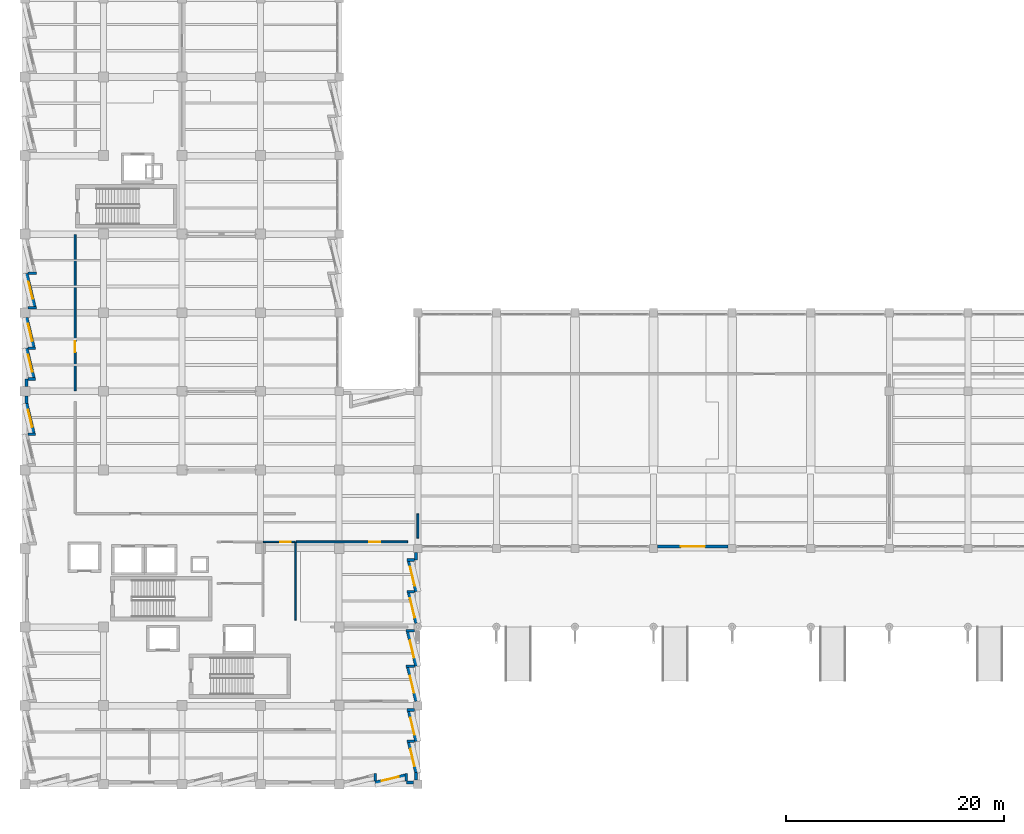
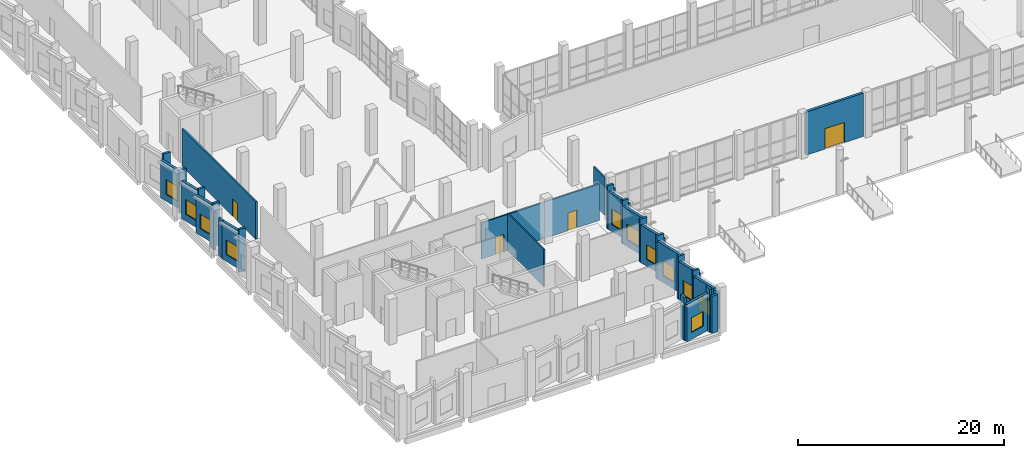
# One storey, part 104 of 137: 35 walls, 11 windows, 4 doors, 15 openings.
"""IFC4 building model written with IfcOpenShell, lengths in metres."""

from ifc_helpers import new_model, si_unit, direction, frame, frame_2d, origin, place, context, subcontext, project, spatial, rectangle, extrude, material, layer, layer_set, type_object, element, fill, save


model = new_model("IFC4")

# Units and contexts
model_context = context("Model", 3, precision=1e-05, world=origin(), true_north=direction((0.0, 1.0)))
body_context = subcontext(model_context, "Body", "Model", "MODEL_VIEW")
ifc_project = project(units=[si_unit("LENGTHUNIT", "METRE"), si_unit("AREAUNIT", "SQUARE_METRE"), si_unit("VOLUMEUNIT", "CUBIC_METRE"), si_unit("PLANEANGLEUNIT", "RADIAN"), si_unit("MASSUNIT", "GRAM", prefix="KILO")], contexts=[model_context])

# Site, building, storey
site_placement = place(None, origin())
site = spatial("IfcSite", under=ifc_project, at=site_placement, CompositionType="ELEMENT")
building_placement = place(site_placement, origin())
building = spatial("IfcBuilding", under=site, at=building_placement, Name="Kalmorath City Hall", CompositionType="ELEMENT")
storey_placement = place(building_placement, origin())
storey = spatial("IfcBuildingStorey", under=building, at=storey_placement, Name="L00", CompositionType="ELEMENT", Elevation=0.0)

# Wall, opening, door
ifc_material_1 = material(Name="Fire-rated acoustic gypsum partition")
ifc_layer_1 = layer(ifc_material_1, 0.179931640625)
ifc_layer_set_1 = layer_set([ifc_layer_1], Name="Fire-rated acoustic gypsum partition")
wall_type_1 = type_object("IfcWallType", Name="One-hour corridor fire partition 180", PredefinedType="PARTITIONING", material=ifc_layer_set_1)
wall_1_placement = place(storey_placement, frame((4.60009765625, 36.0400390625, 0.0), z_axis=(0.0, 0.0, 1.0), x_axis=(0.0, 1.0, 0.0)))
wall_1 = element("IfcWall", 1, at=wall_1_placement, inside=storey, type_object=wall_type_1, Name="L00 interior partition PW2 #20", PredefinedType="PARTITIONING", context=body_context, shape_type="SweptSolid", body=[
    extrude(rectangle(XDim=14.320068359375, YDim=0.179931640625, at=frame_2d((7.16015625, 0.0))), origin(), (0.0, 0.0, 1.0), 4.449951171875),
])
opening_1_placement = place(wall_1_placement, frame((3.5400390625, 0.0, 0.0)))
opening_1 = element("IfcOpeningElement", 2, at=opening_1_placement, cuts=wall_1, Name="Opening D-L00-138", PredefinedType="OPENING", context=body_context, shape_type="SweptSolid", body=[
    extrude(rectangle(XDim=1.0, YDim=2.10009765625, at=frame_2d((0.5, 1.050048828125))), frame((0.0, 0.099853515625, 0.0), z_axis=(0.0, -1.0, 0.0), x_axis=(1.0, 0.0, 0.0)), (0.0, 0.0, 1.0), 0.199951171875),
])
ifc_material_2 = material(Name="Hardwood fire door", Category="wood")
door_type_1 = type_object("IfcDoorType", Name="Corridor 60-min fire door 1000x2100", OperationType="NOTDEFINED", PredefinedType="DOOR", material=ifc_material_2)
door_1_placement = place(opening_1_placement, origin())
door_1 = element("IfcDoor", 3, at=door_1_placement, inside=storey, type_object=door_type_1, Name="L00 door D-L00-138", OperationType="SINGLE_SWING_RIGHT", OverallHeight=2.10009765625, OverallWidth=1.0, PredefinedType="DOOR", context=body_context, shape_type="SweptSolid", body=[
    extrude(rectangle(XDim=1.0, YDim=2.10009765625, at=frame_2d((0.5, 1.050048828125))), frame((0.0, 0.02490234375, 0.0), z_axis=(0.0, -1.0, 0.0), x_axis=(1.0, 0.0, 0.0)), (0.0, 0.0, 1.0), 0.050048828125),
])
fill(opening_1, door_1)

wall_2_placement = place(storey_placement, frame((24.840087890625, 22.199951171875, 0.0), z_axis=(0.0, 0.0, 1.0), x_axis=(1.0, 0.0, 0.0)))
wall_2 = element("IfcWall", 4, at=wall_2_placement, inside=storey, type_object=wall_type_1, Name="L00 interior partition PW2 #23", PredefinedType="PARTITIONING", context=body_context, shape_type="SweptSolid", body=[
    extrude(rectangle(XDim=10.219970703125, YDim=0.179931640625, at=frame_2d((5.10986328125, 0.0))), origin(), (0.0, 0.0, 1.0), 4.31103515625),
])
opening_2_placement = place(wall_2_placement, frame((6.705078125, 0.0, 0.0)))
opening_2 = element("IfcOpeningElement", 5, at=opening_2_placement, cuts=wall_2, Name="Opening D-L00-125", PredefinedType="OPENING", context=body_context, shape_type="SweptSolid", body=[
    extrude(rectangle(XDim=1.0, YDim=2.10009765625, at=frame_2d((0.5, 1.050048828125))), frame((0.0, 0.099853515625, 0.0), z_axis=(0.0, -1.0, 0.0), x_axis=(1.0, 0.0, 0.0)), (0.0, 0.0, 1.0), 0.199951171875),
])
door_2_placement = place(opening_2_placement, origin())
door_2 = element("IfcDoor", 6, at=door_2_placement, inside=storey, type_object=door_type_1, Name="L00 door D-L00-125", OperationType="SINGLE_SWING_LEFT", OverallHeight=2.10009765625, OverallWidth=1.0, PredefinedType="DOOR", context=body_context, shape_type="SweptSolid", body=[
    extrude(rectangle(XDim=1.0, YDim=2.10009765625, at=frame_2d((0.5, 1.050048828125))), frame((0.0, 0.02490234375, 0.0), z_axis=(0.0, -1.0, 0.0), x_axis=(1.0, 0.0, 0.0)), (0.0, 0.0, 1.0), 0.050048828125),
])
fill(opening_2, door_2)

# Walls
wall_3_placement = place(storey_placement, frame((36.0, 22.5400390625, 0.0), z_axis=(0.0, 0.0, 1.0), x_axis=(0.0, 1.0, 0.0)))
element("IfcWall", 7, at=wall_3_placement, inside=storey, type_object=wall_type_1, Name="L00 interior partition PW2 #25", PredefinedType="PARTITIONING", context=body_context, shape_type="SweptSolid", body=[
    extrude(rectangle(XDim=2.219970703125, YDim=0.179931640625, at=frame_2d((1.10986328125, 0.0))), origin(), (0.0, 0.0, 1.0), 4.4609375),
])
ifc_material_3 = material(Name="Precast concrete C40/50", Category="concrete")
ifc_layer_2 = layer(ifc_material_3, 0.239990234375)
ifc_layer_set_2 = layer_set([ifc_layer_2], Name="Precast concrete C40/50")
wall_type_2 = type_object("IfcWallType", Name="Precast sawtooth cheek wall 240", PredefinedType="SOLIDWALL", material=ifc_layer_set_2)
wall_4_placement = place(storey_placement, frame((0.9794921875, 32.06005859375, 0.0), z_axis=(0.0, 0.0, 1.0), x_axis=(-1.0, 0.0, 0.0)))
element("IfcWall", 8, at=wall_4_placement, inside=storey, type_object=wall_type_2, Name="L00 sawtooth return cheek #19", PredefinedType="SOLIDWALL", context=body_context, shape_type="SweptSolid", body=[
    extrude(rectangle(XDim=0.6875, YDim=0.239990234375, at=frame_2d((0.34375, 0.0))), origin(), (0.0, 0.0, 1.0), 5.1201171875),
])
wall_5_placement = place(storey_placement, frame((0.9794921875, 37.131103515625, 0.0), z_axis=(0.0, 0.0, 1.0), x_axis=(-1.0, 0.0, 0.0)))
element("IfcWall", 9, at=wall_5_placement, inside=storey, type_object=wall_type_2, Name="L00 sawtooth return cheek #22", PredefinedType="SOLIDWALL", context=body_context, shape_type="SweptSolid", body=[
    extrude(rectangle(XDim=0.697509765625, YDim=0.239990234375, at=frame_2d((0.3486328125, 0.0))), origin(), (0.0, 0.0, 1.0), 5.1201171875),
])
wall_6_placement = place(storey_placement, frame((0.9794921875, 39.93994140625, 0.0), z_axis=(0.0, 0.0, 1.0), x_axis=(-1.0, 0.0, 0.0)))
element("IfcWall", 10, at=wall_6_placement, inside=storey, type_object=wall_type_2, Name="L00 sawtooth return cheek #24", PredefinedType="SOLIDWALL", context=body_context, shape_type="SweptSolid", body=[
    extrude(rectangle(XDim=0.6875, YDim=0.239990234375, at=frame_2d((0.34375, 0.0))), origin(), (0.0, 0.0, 1.0), 5.1201171875),
])
for number, where, z_axis, x_axis, name in (
    (11, (1.06103515625, 43.65087890625, 0.0), (0.0, 0.0, 1.0), (-1.0, 0.0, 0.0), "L00 sawtooth return cheek #26"),
    (12, (1.06103515625, 46.800048828125, 0.0), (0.0, 0.0, 1.0), (-1.0, 0.0, 0.0), "L00 sawtooth return cheek #28"),
):
    element("IfcWall", number, at=place(storey_placement, frame(where, z_axis=z_axis, x_axis=x_axis)), inside=storey, type_object=wall_type_2, Name=name, PredefinedType="SOLIDWALL", context=body_context, shape_type="SweptSolid", body=[
        extrude(rectangle(XDim=0.76904296875, YDim=0.239990234375, at=frame_2d((0.384521484375, 0.0))), origin(), (0.0, 0.0, 1.0), 5.1201171875),
    ])
wall_7_placement = place(storey_placement, frame((34.99951171875, 20.5439453125, 0.0), z_axis=(0.0, 0.0, 1.0), x_axis=(1.0, 0.0, 0.0)))
element("IfcWall", 13, at=wall_7_placement, inside=storey, type_object=wall_type_2, Name="L00 sawtooth return cheek #107", PredefinedType="SOLIDWALL", context=body_context, shape_type="SweptSolid", body=[
    extrude(rectangle(XDim=0.718505859375, YDim=0.239990234375, at=frame_2d((0.359375, 0.0))), origin(), (0.0, 0.0, 1.0), 5.1201171875),
])
wall_8_placement = place(storey_placement, frame((34.99951171875, 17.6474609375, 0.0), z_axis=(0.0, 0.0, 1.0), x_axis=(1.0, 0.0, 0.0)))
element("IfcWall", 14, at=wall_8_placement, inside=storey, type_object=wall_type_2, Name="L00 sawtooth return cheek #109", PredefinedType="SOLIDWALL", context=body_context, shape_type="SweptSolid", body=[
    extrude(rectangle(XDim=0.70849609375, YDim=0.239990234375, at=frame_2d((0.354248046875, 0.0))), origin(), (0.0, 0.0, 1.0), 5.1201171875),
])
for number, where, z_axis, x_axis, name in (
    (15, (34.9208984375, 14.049072265625, 0.0), (0.0, 0.0, 1.0), (1.0, 0.0, 0.0), "L00 sawtooth return cheek #111"),
    (16, (34.9208984375, 10.824951171875, 0.0), (0.0, 0.0, 1.0), (1.0, 0.0, 0.0), "L00 sawtooth return cheek #113"),
):
    element("IfcWall", number, at=place(storey_placement, frame(where, z_axis=z_axis, x_axis=x_axis)), inside=storey, type_object=wall_type_2, Name=name, PredefinedType="SOLIDWALL", context=body_context, shape_type="SweptSolid", body=[
        extrude(rectangle(XDim=0.787109375, YDim=0.239990234375, at=frame_2d((0.3935546875, 0.0))), origin(), (0.0, 0.0, 1.0), 5.1201171875),
    ])
for number, where, z_axis, x_axis, name in (
    (17, (35.005615234375, 6.799072265625, 0.0), (0.0, 0.0, 1.0), (1.0, 0.0, 0.0), "L00 sawtooth return cheek #116"),
    (18, (35.005615234375, 3.927490234375, 0.0), (0.0, 0.0, 1.0), (1.0, 0.0, 0.0), "L00 sawtooth return cheek #118"),
):
    element("IfcWall", number, at=place(storey_placement, frame(where, z_axis=z_axis, x_axis=x_axis)), inside=storey, type_object=wall_type_2, Name=name, PredefinedType="SOLIDWALL", context=body_context, shape_type="SweptSolid", body=[
        extrude(rectangle(XDim=0.702392578125, YDim=0.239990234375, at=frame_2d((0.35107421875, 0.0))), origin(), (0.0, 0.0, 1.0), 5.1201171875),
    ])
wall_9_placement = place(storey_placement, frame((34.944091796875, 0.98828125, 0.0), z_axis=(0.0, 0.0, 1.0), x_axis=(0.0, -1.0, 0.0)))
element("IfcWall", 19, at=wall_9_placement, inside=storey, type_object=wall_type_2, Name="L00 sawtooth return cheek #121", PredefinedType="SOLIDWALL", context=body_context, shape_type="SweptSolid", body=[
    extrude(rectangle(XDim=0.706298828125, YDim=0.239990234375, at=frame_2d((0.35302734375, 0.0))), origin(), (0.0, 0.0, 1.0), 5.1201171875),
])
wall_10_placement = place(storey_placement, frame((32.097412109375, 0.98828125, 0.0), z_axis=(0.0, 0.0, 1.0), x_axis=(0.0, -1.0, 0.0)))
element("IfcWall", 20, at=wall_10_placement, inside=storey, type_object=wall_type_2, Name="L00 sawtooth return cheek #123", PredefinedType="SOLIDWALL", context=body_context, shape_type="SweptSolid", body=[
    extrude(rectangle(XDim=0.6962890625, YDim=0.239990234375, at=frame_2d((0.34814453125, 0.0))), origin(), (0.0, 0.0, 1.0), 5.1201171875),
])

# Wall, opening, window
ifc_material_4 = material(Name="Precast concrete C40/50", Category="concrete")
ifc_layer_3 = layer(ifc_material_4, 0.280029296875)
ifc_layer_set_3 = layer_set([ifc_layer_3], Name="Precast concrete C40/50")
wall_type_3 = type_object("IfcWallType", Name="Precast sawtooth facade wall 280", PredefinedType="SOLIDWALL", material=ifc_layer_set_3)
wall_11_placement = place(storey_placement, frame((0.812255859375, 32.15234375, 0.0), z_axis=(0.0, 0.0, 1.0), x_axis=(-0.233498544812, 0.972357151242, 0.0)))
wall_11 = element("IfcWall", 21, at=wall_11_placement, inside=storey, type_object=wall_type_3, Name="L00 sawtooth precast frame #18", PredefinedType="SOLIDWALL", context=body_context, shape_type="SweptSolid", body=[
    extrude(rectangle(XDim=2.793701171875, YDim=0.280029296875, at=frame_2d((1.39697265625, 0.0))), origin(), (0.0, 0.0, 1.0), 4.4609375),
])
opening_3_placement = place(wall_11_placement, frame((0.596923828125, 0.0, 0.800048828125)))
opening_3 = element("IfcOpeningElement", 22, at=opening_3_placement, cuts=wall_11, Name="Opening WN3", PredefinedType="OPENING", context=body_context, shape_type="SweptSolid", body=[
    extrude(rectangle(XDim=1.60009765625, YDim=1.75, at=frame_2d((0.800048828125, 0.875))), frame((0.0, 0.14990234375, 0.0), z_axis=(0.0, -1.0, 0.0), x_axis=(1.0, 0.0, 0.0)), (0.0, 0.0, 1.0), 0.300048828125),
])
ifc_material_5 = material(Name="Aluminium and laminated glass", Category="aluminium")
window_type_1 = type_object("IfcWindowType", Name="Sawtooth upper window 1600x1750", PartitioningType="SINGLE_PANEL", PredefinedType="WINDOW", material=ifc_material_5)
window_1_placement = place(opening_3_placement, origin())
window_1 = element("IfcWindow", 23, at=window_1_placement, inside=storey, type_object=window_type_1, Name="L00 window WN3-8", OverallHeight=1.75, OverallWidth=1.60009765625, PartitioningType="SINGLE_PANEL", PredefinedType="WINDOW", context=body_context, shape_type="SweptSolid", body=[
    extrude(rectangle(XDim=1.60009765625, YDim=1.75, at=frame_2d((0.800048828125, 0.875))), frame((0.0, 0.030029296875, 0.0), z_axis=(0.0, -1.0, 0.0), x_axis=(1.0, 0.0, 0.0)), (0.0, 0.0, 1.0), 0.06005859375),
])
fill(opening_3, window_1)

wall_12_placement = place(storey_placement, frame((0.812255859375, 37.223388671875, 0.0), z_axis=(0.0, 0.0, 1.0), x_axis=(-0.233498544812, 0.972357151242, 0.0)))
wall_12 = element("IfcWall", 24, at=wall_12_placement, inside=storey, type_object=wall_type_3, Name="L00 sawtooth precast frame #21", PredefinedType="SOLIDWALL", context=body_context, shape_type="SweptSolid", body=[
    extrude(rectangle(XDim=2.793701171875, YDim=0.280029296875, at=frame_2d((1.39697265625, 0.0))), origin(), (0.0, 0.0, 1.0), 4.4609375),
])
opening_4_placement = place(wall_12_placement, frame((0.596923828125, 0.0, 0.800048828125)))
opening_4 = element("IfcOpeningElement", 25, at=opening_4_placement, cuts=wall_12, Name="Opening WN3", PredefinedType="OPENING", context=body_context, shape_type="SweptSolid", body=[
    extrude(rectangle(XDim=1.60009765625, YDim=1.75, at=frame_2d((0.800048828125, 0.875))), frame((0.0, 0.14990234375, 0.0), z_axis=(0.0, -1.0, 0.0), x_axis=(1.0, 0.0, 0.0)), (0.0, 0.0, 1.0), 0.300048828125),
])
window_2_placement = place(opening_4_placement, origin())
window_2 = element("IfcWindow", 26, at=window_2_placement, inside=storey, type_object=window_type_1, Name="L00 window WN3-9", OverallHeight=1.75, OverallWidth=1.60009765625, PartitioningType="SINGLE_PANEL", PredefinedType="WINDOW", context=body_context, shape_type="SweptSolid", body=[
    extrude(rectangle(XDim=1.60009765625, YDim=1.75, at=frame_2d((0.800048828125, 0.875))), frame((0.0, 0.030029296875, 0.0), z_axis=(0.0, -1.0, 0.0), x_axis=(1.0, 0.0, 0.0)), (0.0, 0.0, 1.0), 0.06005859375),
])
fill(opening_4, window_2)

wall_13_placement = place(storey_placement, frame((0.812255859375, 40.032470703125, 0.0), z_axis=(0.0, 0.0, 1.0), x_axis=(-0.233498544812, 0.972357151242, 0.0)))
wall_13 = element("IfcWall", 27, at=wall_13_placement, inside=storey, type_object=wall_type_3, Name="L00 sawtooth precast frame #23", PredefinedType="SOLIDWALL", context=body_context, shape_type="SweptSolid", body=[
    extrude(rectangle(XDim=2.793701171875, YDim=0.280029296875, at=frame_2d((1.39697265625, 0.0))), origin(), (0.0, 0.0, 1.0), 4.4609375),
])
opening_5_placement = place(wall_13_placement, frame((0.596923828125, 0.0, 0.800048828125)))
opening_5 = element("IfcOpeningElement", 28, at=opening_5_placement, cuts=wall_13, Name="Opening WN3", PredefinedType="OPENING", context=body_context, shape_type="SweptSolid", body=[
    extrude(rectangle(XDim=1.60009765625, YDim=1.75, at=frame_2d((0.800048828125, 0.875))), frame((0.0, 0.14990234375, 0.0), z_axis=(0.0, -1.0, 0.0), x_axis=(1.0, 0.0, 0.0)), (0.0, 0.0, 1.0), 0.300048828125),
])
window_3_placement = place(opening_5_placement, origin())
window_3 = element("IfcWindow", 29, at=window_3_placement, inside=storey, type_object=window_type_1, Name="L00 window WN3-10", OverallHeight=1.75, OverallWidth=1.60009765625, PartitioningType="SINGLE_PANEL", PredefinedType="WINDOW", context=body_context, shape_type="SweptSolid", body=[
    extrude(rectangle(XDim=1.60009765625, YDim=1.75, at=frame_2d((0.800048828125, 0.875))), frame((0.0, 0.030029296875, 0.0), z_axis=(0.0, -1.0, 0.0), x_axis=(1.0, 0.0, 0.0)), (0.0, 0.0, 1.0), 0.06005859375),
])
fill(opening_5, window_3)

wall_14_placement = place(storey_placement, frame((0.893798828125, 43.743408203125, 0.0), z_axis=(0.0, 0.0, 1.0), x_axis=(-0.233461073712, 0.972366148661, 0.0)))
wall_14 = element("IfcWall", 30, at=wall_14_placement, inside=storey, type_object=wall_type_3, Name="L00 sawtooth precast frame #25", PredefinedType="SOLIDWALL", context=body_context, shape_type="SweptSolid", body=[
    extrude(rectangle(XDim=3.1435546875, YDim=0.280029296875, at=frame_2d((1.57177734375, 0.0))), origin(), (0.0, 0.0, 1.0), 4.4609375),
])
opening_6_placement = place(wall_14_placement, frame((0.771728515625, 0.0, 0.800048828125)))
opening_6 = element("IfcOpeningElement", 31, at=opening_6_placement, cuts=wall_14, Name="Opening WN3", PredefinedType="OPENING", context=body_context, shape_type="SweptSolid", body=[
    extrude(rectangle(XDim=1.60009765625, YDim=1.75, at=frame_2d((0.800048828125, 0.875))), frame((0.0, 0.14990234375, 0.0), z_axis=(0.0, -1.0, 0.0), x_axis=(1.0, 0.0, 0.0)), (0.0, 0.0, 1.0), 0.300048828125),
])
window_4_placement = place(opening_6_placement, origin())
window_4 = element("IfcWindow", 32, at=window_4_placement, inside=storey, type_object=window_type_1, Name="L00 window WN3-11", OverallHeight=1.75, OverallWidth=1.60009765625, PartitioningType="SINGLE_PANEL", PredefinedType="WINDOW", context=body_context, shape_type="SweptSolid", body=[
    extrude(rectangle(XDim=1.60009765625, YDim=1.75, at=frame_2d((0.800048828125, 0.875))), frame((0.0, 0.030029296875, 0.0), z_axis=(0.0, -1.0, 0.0), x_axis=(1.0, 0.0, 0.0)), (0.0, 0.0, 1.0), 0.06005859375),
])
fill(opening_6, window_4)

# Wall, opening, door
wall_15_placement = place(storey_placement, frame((64.424072265625, 21.760009765625, 0.0), z_axis=(0.0, 0.0, 1.0), x_axis=(-1.0, 0.0, 0.0)))
wall_15 = element("IfcWall", 33, at=wall_15_placement, inside=storey, type_object=wall_type_3, Name="L00 hall entrance portal #104", PredefinedType="SOLIDWALL", context=body_context, shape_type="SweptSolid", body=[
    extrude(rectangle(XDim=6.447998046875, YDim=0.280029296875, at=frame_2d((3.22412109375, 0.0))), origin(), (0.0, 0.0, 1.0), 5.1201171875),
])
opening_7_placement = place(wall_15_placement, frame((2.1240234375, 0.0, 0.0)))
opening_7 = element("IfcOpeningElement", 34, at=opening_7_placement, cuts=wall_15, Name="Opening D-E018", PredefinedType="OPENING", context=body_context, shape_type="SweptSolid", body=[
    extrude(rectangle(XDim=2.199951171875, YDim=2.39990234375, at=frame_2d((1.10009765625, 1.199951171875))), frame((0.0, 0.14990234375, 0.0), z_axis=(0.0, -1.0, 0.0), x_axis=(1.0, 0.0, 0.0)), (0.0, 0.0, 1.0), 0.300048828125),
])
ifc_material_6 = material(Name="Bronze-anodised aluminium and glass", Category="aluminium")
door_type_2 = type_object("IfcDoorType", Name="Glazed ceremonial double entrance door 2200x2400", OperationType="DOUBLE_DOOR_SINGLE_SWING", PredefinedType="DOOR", material=ifc_material_6)
door_3_placement = place(opening_7_placement, origin())
door_3 = element("IfcDoor", 35, at=door_3_placement, inside=storey, type_object=door_type_2, Name="L00 exterior door D-E018", OperationType="DOUBLE_DOOR_SINGLE_SWING", OverallHeight=2.39990234375, OverallWidth=2.199951171875, PredefinedType="DOOR", context=body_context, shape_type="SweptSolid", body=[
    extrude(rectangle(XDim=2.199951171875, YDim=2.39990234375, at=frame_2d((1.10009765625, 1.199951171875))), frame((0.0, 0.02490234375, 0.0), z_axis=(0.0, -1.0, 0.0), x_axis=(1.0, 0.0, 0.0)), (0.0, 0.0, 1.0), 0.050048828125),
])
fill(opening_7, door_3)

# Wall, opening, window
wall_16_placement = place(storey_placement, frame((35.166748046875, 20.45166015625, 0.0), z_axis=(0.0, 0.0, 1.0), x_axis=(0.233481813001, -0.97236116901, 0.0)))
wall_16 = element("IfcWall", 36, at=wall_16_placement, inside=storey, type_object=wall_type_3, Name="L00 sawtooth precast frame #106", PredefinedType="SOLIDWALL", context=body_context, shape_type="SweptSolid", body=[
    extrude(rectangle(XDim=2.8837890625, YDim=0.280029296875, at=frame_2d((1.44189453125, 0.0))), origin(), (0.0, 0.0, 1.0), 4.4609375),
])
opening_8_placement = place(wall_16_placement, frame((0.5419921875, 0.0, 0.800048828125)))
opening_8 = element("IfcOpeningElement", 37, at=opening_8_placement, cuts=wall_16, Name="Opening WN4", PredefinedType="OPENING", context=body_context, shape_type="SweptSolid", body=[
    extrude(rectangle(XDim=1.800048828125, YDim=1.85009765625, at=frame_2d((0.89990234375, 0.925048828125))), frame((0.0, 0.14990234375, 0.0), z_axis=(0.0, -1.0, 0.0), x_axis=(1.0, 0.0, 0.0)), (0.0, 0.0, 1.0), 0.300048828125),
])
ifc_material_7 = material(Name="Aluminium and laminated glass", Category="aluminium")
window_type_2 = type_object("IfcWindowType", Name="Sawtooth executive window 1800x1850", PartitioningType="SINGLE_PANEL", PredefinedType="WINDOW", material=ifc_material_7)
window_5_placement = place(opening_8_placement, origin())
window_5 = element("IfcWindow", 38, at=window_5_placement, inside=storey, type_object=window_type_2, Name="L00 window WN4-49", OverallHeight=1.85009765625, OverallWidth=1.800048828125, PartitioningType="SINGLE_PANEL", PredefinedType="WINDOW", context=body_context, shape_type="SweptSolid", body=[
    extrude(rectangle(XDim=1.800048828125, YDim=1.85009765625, at=frame_2d((0.89990234375, 0.925048828125))), frame((0.0, 0.030029296875, 0.0), z_axis=(0.0, -1.0, 0.0), x_axis=(1.0, 0.0, 0.0)), (0.0, 0.0, 1.0), 0.06005859375),
])
fill(opening_8, window_5)

wall_17_placement = place(storey_placement, frame((35.166748046875, 17.55517578125, 0.0), z_axis=(0.0, 0.0, 1.0), x_axis=(0.233481813001, -0.97236116901, 0.0)))
wall_17 = element("IfcWall", 39, at=wall_17_placement, inside=storey, type_object=wall_type_3, Name="L00 sawtooth precast frame #108", PredefinedType="SOLIDWALL", context=body_context, shape_type="SweptSolid", body=[
    extrude(rectangle(XDim=2.8837890625, YDim=0.280029296875, at=frame_2d((1.44189453125, 0.0))), origin(), (0.0, 0.0, 1.0), 4.4609375),
])
opening_9_placement = place(wall_17_placement, frame((0.5419921875, 0.0, 0.800048828125)))
opening_9 = element("IfcOpeningElement", 40, at=opening_9_placement, cuts=wall_17, Name="Opening WN4", PredefinedType="OPENING", context=body_context, shape_type="SweptSolid", body=[
    extrude(rectangle(XDim=1.800048828125, YDim=1.85009765625, at=frame_2d((0.89990234375, 0.925048828125))), frame((0.0, 0.14990234375, 0.0), z_axis=(0.0, -1.0, 0.0), x_axis=(1.0, 0.0, 0.0)), (0.0, 0.0, 1.0), 0.300048828125),
])
window_6_placement = place(opening_9_placement, origin())
window_6 = element("IfcWindow", 41, at=window_6_placement, inside=storey, type_object=window_type_2, Name="L00 window WN4-50", OverallHeight=1.85009765625, OverallWidth=1.800048828125, PartitioningType="SINGLE_PANEL", PredefinedType="WINDOW", context=body_context, shape_type="SweptSolid", body=[
    extrude(rectangle(XDim=1.800048828125, YDim=1.85009765625, at=frame_2d((0.89990234375, 0.925048828125))), frame((0.0, 0.030029296875, 0.0), z_axis=(0.0, -1.0, 0.0), x_axis=(1.0, 0.0, 0.0)), (0.0, 0.0, 1.0), 0.06005859375),
])
fill(opening_9, window_6)

wall_18_placement = place(storey_placement, frame((35.088134765625, 13.95654296875, 0.0), z_axis=(0.0, 0.0, 1.0), x_axis=(0.233481900362, -0.972361148033, 0.0)))
wall_18 = element("IfcWall", 42, at=wall_18_placement, inside=storey, type_object=wall_type_3, Name="L00 sawtooth precast frame #110", PredefinedType="SOLIDWALL", context=body_context, shape_type="SweptSolid", body=[
    extrude(rectangle(XDim=3.220703125, YDim=0.280029296875, at=frame_2d((1.6103515625, 0.0))), origin(), (0.0, 0.0, 1.0), 4.4609375),
])
opening_10_placement = place(wall_18_placement, frame((0.810302734375, 0.0, 0.800048828125)))
opening_10 = element("IfcOpeningElement", 43, at=opening_10_placement, cuts=wall_18, Name="Opening WN3", PredefinedType="OPENING", context=body_context, shape_type="SweptSolid", body=[
    extrude(rectangle(XDim=1.60009765625, YDim=1.75, at=frame_2d((0.800048828125, 0.875))), frame((0.0, 0.14990234375, 0.0), z_axis=(0.0, -1.0, 0.0), x_axis=(1.0, 0.0, 0.0)), (0.0, 0.0, 1.0), 0.300048828125),
])
window_7_placement = place(opening_10_placement, origin())
window_7 = element("IfcWindow", 44, at=window_7_placement, inside=storey, type_object=window_type_1, Name="L00 window WN3-51", OverallHeight=1.75, OverallWidth=1.60009765625, PartitioningType="SINGLE_PANEL", PredefinedType="WINDOW", context=body_context, shape_type="SweptSolid", body=[
    extrude(rectangle(XDim=1.60009765625, YDim=1.75, at=frame_2d((0.800048828125, 0.875))), frame((0.0, 0.030029296875, 0.0), z_axis=(0.0, -1.0, 0.0), x_axis=(1.0, 0.0, 0.0)), (0.0, 0.0, 1.0), 0.06005859375),
])
fill(opening_10, window_7)

wall_19_placement = place(storey_placement, frame((35.088134765625, 10.732666015625, 0.0), z_axis=(0.0, 0.0, 1.0), x_axis=(0.233481900362, -0.972361148033, 0.0)))
wall_19 = element("IfcWall", 45, at=wall_19_placement, inside=storey, type_object=wall_type_3, Name="L00 sawtooth precast frame #112", PredefinedType="SOLIDWALL", context=body_context, shape_type="SweptSolid", body=[
    extrude(rectangle(XDim=3.220703125, YDim=0.280029296875, at=frame_2d((1.6103515625, 0.0))), origin(), (0.0, 0.0, 1.0), 4.4609375),
])
opening_11_placement = place(wall_19_placement, frame((0.810302734375, 0.0, 0.800048828125)))
opening_11 = element("IfcOpeningElement", 46, at=opening_11_placement, cuts=wall_19, Name="Opening WN3", PredefinedType="OPENING", context=body_context, shape_type="SweptSolid", body=[
    extrude(rectangle(XDim=1.60009765625, YDim=1.75, at=frame_2d((0.800048828125, 0.875))), frame((0.0, 0.14990234375, 0.0), z_axis=(0.0, -1.0, 0.0), x_axis=(1.0, 0.0, 0.0)), (0.0, 0.0, 1.0), 0.300048828125),
])
window_8_placement = place(opening_11_placement, origin())
window_8 = element("IfcWindow", 47, at=window_8_placement, inside=storey, type_object=window_type_1, Name="L00 window WN3-52", OverallHeight=1.75, OverallWidth=1.60009765625, PartitioningType="SINGLE_PANEL", PredefinedType="WINDOW", context=body_context, shape_type="SweptSolid", body=[
    extrude(rectangle(XDim=1.60009765625, YDim=1.75, at=frame_2d((0.800048828125, 0.875))), frame((0.0, 0.030029296875, 0.0), z_axis=(0.0, -1.0, 0.0), x_axis=(1.0, 0.0, 0.0)), (0.0, 0.0, 1.0), 0.06005859375),
])
fill(opening_11, window_8)

wall_20_placement = place(storey_placement, frame((35.1728515625, 6.70654296875, 0.0), z_axis=(0.0, 0.0, 1.0), x_axis=(0.233460183471, -0.972366362403, 0.0)))
wall_20 = element("IfcWall", 48, at=wall_20_placement, inside=storey, type_object=wall_type_3, Name="L00 sawtooth precast frame #115", PredefinedType="SOLIDWALL", context=body_context, shape_type="SweptSolid", body=[
    extrude(rectangle(XDim=2.85791015625, YDim=0.280029296875, at=frame_2d((1.428955078125, 0.0))), origin(), (0.0, 0.0, 1.0), 4.4609375),
])
opening_12_placement = place(wall_20_placement, frame((0.62890625, 0.0, 0.800048828125)))
opening_12 = element("IfcOpeningElement", 49, at=opening_12_placement, cuts=wall_20, Name="Opening WN3", PredefinedType="OPENING", context=body_context, shape_type="SweptSolid", body=[
    extrude(rectangle(XDim=1.60009765625, YDim=1.75, at=frame_2d((0.800048828125, 0.875))), frame((0.0, 0.14990234375, 0.0), z_axis=(0.0, -1.0, 0.0), x_axis=(1.0, 0.0, 0.0)), (0.0, 0.0, 1.0), 0.300048828125),
])
window_9_placement = place(opening_12_placement, origin())
window_9 = element("IfcWindow", 50, at=window_9_placement, inside=storey, type_object=window_type_1, Name="L00 window WN3-53", OverallHeight=1.75, OverallWidth=1.60009765625, PartitioningType="SINGLE_PANEL", PredefinedType="WINDOW", context=body_context, shape_type="SweptSolid", body=[
    extrude(rectangle(XDim=1.60009765625, YDim=1.75, at=frame_2d((0.800048828125, 0.875))), frame((0.0, 0.030029296875, 0.0), z_axis=(0.0, -1.0, 0.0), x_axis=(1.0, 0.0, 0.0)), (0.0, 0.0, 1.0), 0.06005859375),
])
fill(opening_12, window_9)

wall_21_placement = place(storey_placement, frame((35.1728515625, 3.835205078125, 0.0), z_axis=(0.0, 0.0, 1.0), x_axis=(0.233440793333, -0.972371017672, 0.0)))
wall_21 = element("IfcWall", 51, at=wall_21_placement, inside=storey, type_object=wall_type_3, Name="L00 sawtooth precast frame #117", PredefinedType="SOLIDWALL", context=body_context, shape_type="SweptSolid", body=[
    extrude(rectangle(XDim=2.858154296875, YDim=0.280029296875, at=frame_2d((1.42919921875, 0.0))), origin(), (0.0, 0.0, 1.0), 4.4609375),
])
opening_13_placement = place(wall_21_placement, frame((0.62890625, 0.0, 0.800048828125)))
opening_13 = element("IfcOpeningElement", 52, at=opening_13_placement, cuts=wall_21, Name="Opening WN3", PredefinedType="OPENING", context=body_context, shape_type="SweptSolid", body=[
    extrude(rectangle(XDim=1.60009765625, YDim=1.75, at=frame_2d((0.800048828125, 0.875))), frame((0.0, 0.14990234375, 0.0), z_axis=(0.0, -1.0, 0.0), x_axis=(1.0, 0.0, 0.0)), (0.0, 0.0, 1.0), 0.300048828125),
])
window_10_placement = place(opening_13_placement, origin())
window_10 = element("IfcWindow", 53, at=window_10_placement, inside=storey, type_object=window_type_1, Name="L00 window WN3-54", OverallHeight=1.75, OverallWidth=1.60009765625, PartitioningType="SINGLE_PANEL", PredefinedType="WINDOW", context=body_context, shape_type="SweptSolid", body=[
    extrude(rectangle(XDim=1.60009765625, YDim=1.75, at=frame_2d((0.800048828125, 0.875))), frame((0.0, 0.030029296875, 0.0), z_axis=(0.0, -1.0, 0.0), x_axis=(1.0, 0.0, 0.0)), (0.0, 0.0, 1.0), 0.06005859375),
])
fill(opening_13, window_10)

wall_22_placement = place(storey_placement, frame((34.8515625, 0.8212890625, 0.0), z_axis=(0.0, 0.0, 1.0), x_axis=(-0.972356780139, -0.233500090187, 0.0)))
wall_22 = element("IfcWall", 54, at=wall_22_placement, inside=storey, type_object=wall_type_3, Name="L00 sawtooth precast frame #120", PredefinedType="SOLIDWALL", context=body_context, shape_type="SweptSolid", body=[
    extrude(rectangle(XDim=2.83251953125, YDim=0.280029296875, at=frame_2d((1.416259765625, 0.0))), origin(), (0.0, 0.0, 1.0), 4.410888671875),
])
opening_14_placement = place(wall_22_placement, frame((0.6162109375, 0.0, 0.800048828125)))
opening_14 = element("IfcOpeningElement", 55, at=opening_14_placement, cuts=wall_22, Name="Opening WN3", PredefinedType="OPENING", context=body_context, shape_type="SweptSolid", body=[
    extrude(rectangle(XDim=1.60009765625, YDim=1.75, at=frame_2d((0.800048828125, 0.875))), frame((0.0, 0.14990234375, 0.0), z_axis=(0.0, -1.0, 0.0), x_axis=(1.0, 0.0, 0.0)), (0.0, 0.0, 1.0), 0.300048828125),
])
window_11_placement = place(opening_14_placement, origin())
window_11 = element("IfcWindow", 56, at=window_11_placement, inside=storey, type_object=window_type_1, Name="L00 window WN3-55", OverallHeight=1.75, OverallWidth=1.60009765625, PartitioningType="SINGLE_PANEL", PredefinedType="WINDOW", context=body_context, shape_type="SweptSolid", body=[
    extrude(rectangle(XDim=1.60009765625, YDim=1.75, at=frame_2d((0.800048828125, 0.875))), frame((0.0, 0.030029296875, 0.0), z_axis=(0.0, -1.0, 0.0), x_axis=(1.0, 0.0, 0.0)), (0.0, 0.0, 1.0), 0.06005859375),
])
fill(opening_14, window_11)

# Walls
ifc_material_8 = material(Name="Precast concrete C40/50", Category="concrete")
ifc_layer_4 = layer(ifc_material_8, 0.260009765625)
ifc_layer_set_4 = layer_set([ifc_layer_4], Name="Precast concrete C40/50")
wall_type_4 = type_object("IfcWallType", Name="Precast sawtooth return wall 260", PredefinedType="SOLIDWALL", material=ifc_layer_set_4)
for number, where, z_axis, x_axis, name in (
    (57, (0.159912109375, 34.868896484375, 0.0), (0.0, 0.0, 1.0), (0.0, 1.0, 0.0), "L00 corner pier wall #15"),
    (58, (0.159912109375, 36.450927734375, 0.0), (0.0, 0.0, 1.0), (0.0, 1.0, 0.0), "L00 corner pier wall #20"),
    (59, (35.840087890625, 21.22412109375, 0.0), (0.0, 0.0, 1.0), (0.0, -1.0, 0.0), "L00 corner pier wall #105"),
):
    element("IfcWall", number, at=place(storey_placement, frame(where, z_axis=z_axis, x_axis=x_axis)), inside=storey, type_object=wall_type_4, Name=name, PredefinedType="SOLIDWALL", context=body_context, shape_type="SweptSolid", body=[
        extrude(rectangle(XDim=0.68017578125, YDim=0.260009765625, at=frame_2d((0.340087890625, 0.0))), origin(), (0.0, 0.0, 1.0), 4.4609375),
    ])
wall_23_placement = place(storey_placement, frame((35.840087890625, 1.055908203125, 0.0), z_axis=(0.0, 0.0, 1.0), x_axis=(0.0, -1.0, 0.0)))
element("IfcWall", 60, at=wall_23_placement, inside=storey, type_object=wall_type_4, Name="L00 corner pier wall #114", PredefinedType="SOLIDWALL", context=body_context, shape_type="SweptSolid", body=[
    extrude(rectangle(XDim=0.679931640625, YDim=0.260009765625, at=frame_2d((0.33984375, 0.0))), origin(), (0.0, 0.0, 1.0), 4.4609375),
])
wall_24_placement = place(storey_placement, frame((35.6240234375, 0.159912109375, 0.0), z_axis=(0.0, 0.0, 1.0), x_axis=(-1.0, 0.0, 0.0)))
element("IfcWall", 61, at=wall_24_placement, inside=storey, type_object=wall_type_4, Name="L00 corner pier wall #119", PredefinedType="SOLIDWALL", context=body_context, shape_type="SweptSolid", body=[
    extrude(rectangle(XDim=0.679931640625, YDim=0.260009765625, at=frame_2d((0.33984375, 0.0))), origin(), (0.0, 0.0, 1.0), 4.410888671875),
])

# Wall, opening, door
ifc_material_9 = material(Name="Moisture-resistant fire-rated partition")
ifc_layer_5 = layer(ifc_material_9, 0.139892578125)
ifc_layer_set_5 = layer_set([ifc_layer_5], Name="Moisture-resistant fire-rated partition")
wall_type_5 = type_object("IfcWallType", Name="Restroom wet-wall tile partition 140", PredefinedType="PARTITIONING", material=ifc_layer_set_5)
wall_25_placement = place(storey_placement, frame((21.840087890625, 22.199951171875, 0.0), z_axis=(0.0, 0.0, 1.0), x_axis=(1.0, 0.0, 0.0)))
wall_25 = element("IfcWall", 62, at=wall_25_placement, inside=storey, type_object=wall_type_5, Name="L00 interior partition PW5 #27", PredefinedType="PARTITIONING", context=body_context, shape_type="SweptSolid", body=[
    extrude(rectangle(XDim=2.919921875, YDim=0.139892578125, at=frame_2d((1.4599609375, 0.0))), origin(), (0.0, 0.0, 1.0), 4.31103515625),
])
opening_15_placement = place(wall_25_placement, frame((1.550048828125, 0.0, 0.0)))
opening_15 = element("IfcOpeningElement", 63, at=opening_15_placement, cuts=wall_25, Name="Opening D-L00-163", PredefinedType="OPENING", context=body_context, shape_type="SweptSolid", body=[
    extrude(rectangle(XDim=0.949951171875, YDim=2.080078125, at=frame_2d((0.47509765625, 1.0400390625))), frame((0.0, 0.079833984375, 0.0), z_axis=(0.0, -1.0, 0.0), x_axis=(1.0, 0.0, 0.0)), (0.0, 0.0, 1.0), 0.159912109375),
])
ifc_material_10 = material(Name="Laminate solid-core door")
door_type_3 = type_object("IfcDoorType", Name="Restroom accessible door 950x2080", OperationType="NOTDEFINED", PredefinedType="DOOR", material=ifc_material_10)
door_4_placement = place(opening_15_placement, origin())
door_4 = element("IfcDoor", 64, at=door_4_placement, inside=storey, type_object=door_type_3, Name="L00 door D-L00-163", OperationType="SINGLE_SWING_LEFT", OverallHeight=2.080078125, OverallWidth=0.949951171875, PredefinedType="DOOR", context=body_context, shape_type="SweptSolid", body=[
    extrude(rectangle(XDim=0.949951171875, YDim=2.080078125, at=frame_2d((0.47509765625, 1.0400390625))), frame((0.0, 0.02490234375, 0.0), z_axis=(0.0, -1.0, 0.0), x_axis=(1.0, 0.0, 0.0)), (0.0, 0.0, 1.0), 0.050048828125),
])
fill(opening_15, door_4)

# Wall
wall_26_placement = place(storey_placement, frame((24.800048828125, 15.0400390625, 0.0), z_axis=(0.0, 0.0, 1.0), x_axis=(0.0, 1.0, 0.0)))
element("IfcWall", 65, at=wall_26_placement, inside=storey, type_object=wall_type_5, Name="L00 interior partition PW5 #49", PredefinedType="PARTITIONING", context=body_context, shape_type="SweptSolid", body=[
    extrude(rectangle(XDim=7.119873046875, YDim=0.139892578125, at=frame_2d((3.56005859375, 0.0))), origin(), (0.0, 0.0, 1.0), 4.449951171875),
])

save(model, "model.ifc")
